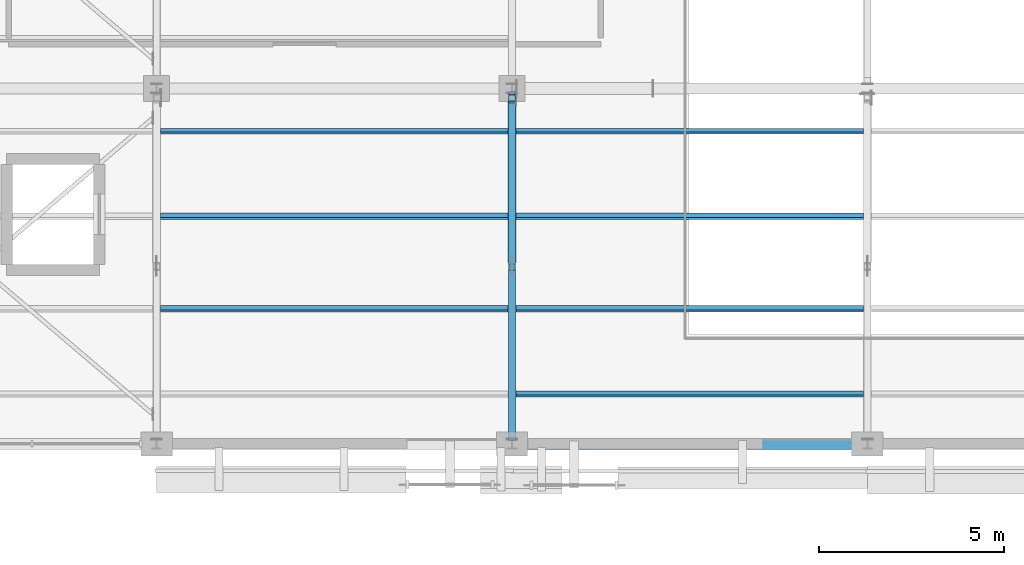
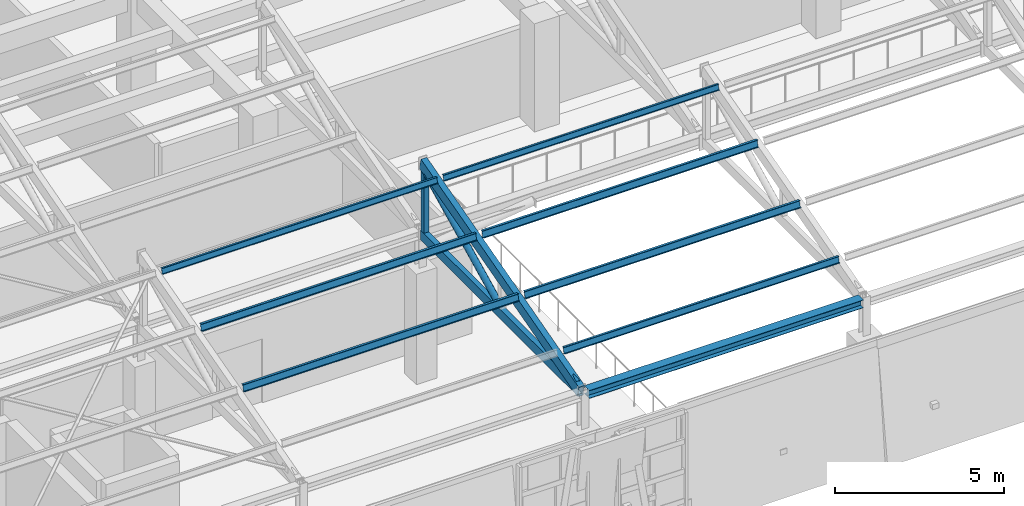
# One storey, part 14 of 58: 12 members, 1 beam.
"""IFC4 building model written with IfcOpenShell, lengths in metres."""

import ifcopenshell
import ifcopenshell.guid

model = None  # the IFC model being written
_history = None  # IfcOwnerHistory: only IFC2X3 demands one
_inside = {}  # id of a spatial element -> (the spatial element, [elements in it])
_under = {}  # id of a project, library or spatial element -> (it, [spatial elements below it])
_declared = {}  # id of a project -> (the project, [libraries it declares])
_typed = {}  # id of a type object -> (the type object, [elements of that type])
_made_of = {}  # id of a material, layer set ... -> (it, [elements and type objects made of it])


def new_model(schema):
    """Start an empty IFC model of exactly this schema.

    Asked for "IFC4X3", IfcOpenShell would pick the latest addendum, in which some entities
    have other attributes; the version numbers below select the first issue.
    IFC2X3 requires an IfcOwnerHistory on every rooted entity: one is made here for all.
    """
    global model, _history
    if schema == "IFC4X3":
        model = ifcopenshell.file(schema_version=(4, 3, 0, 0))
    else:
        model = ifcopenshell.file(schema=schema)
    _inside.clear()
    _under.clear()
    _declared.clear()
    _typed.clear()
    _made_of.clear()
    _history = None
    if model.schema == "IFC2X3":
        org = make("IfcOrganization", Name="unknown")
        user = make(
            "IfcPersonAndOrganization",
            ThePerson=make("IfcPerson", FamilyName="unknown"),
            TheOrganization=org,
        )
        app = make(
            "IfcApplication",
            ApplicationDeveloper=org,
            Version="unknown",
            ApplicationFullName="unknown",
            ApplicationIdentifier="unknown",
        )
        _history = make(
            "IfcOwnerHistory",
            OwningUser=user,
            OwningApplication=app,
            ChangeAction="ADDED",
            CreationDate=0,
        )
    return model


def make(cls, **values):
    """One entity of the class cls with the attributes given. An attribute that is None is left unset."""
    return model.create_entity(
        cls, **{name: value for name, value in values.items() if value is not None}
    )


def rooted(cls, **values):
    """An entity with a GlobalId (a new one), such as an element, a storey or a relation."""
    return make(cls, GlobalId=ifcopenshell.guid.new(), OwnerHistory=_history, **values)


def si_unit(unit_type, name, prefix=None):
    """IfcSIUnit, for example si_unit("LENGTHUNIT", "METRE", prefix="MILLI")."""
    return make("IfcSIUnit", UnitType=unit_type, Prefix=prefix, Name=name)


def assignment(units):
    """IfcUnitAssignment: the units of a project."""
    return None if units is None else make("IfcUnitAssignment", Units=units)


def point(xyz):
    """IfcCartesianPoint."""
    return None if xyz is None else make("IfcCartesianPoint", Coordinates=xyz)


def direction(xyz):
    """IfcDirection."""
    return None if xyz is None else make("IfcDirection", DirectionRatios=xyz)


def frame(location, z_axis=None, x_axis=None):
    """IfcAxis2Placement3D, a coordinate frame: its origin and axes. An axis left out is left unset."""
    return make(
        "IfcAxis2Placement3D",
        Location=point(location),
        Axis=direction(z_axis),
        RefDirection=direction(x_axis),
    )


def frame_2d(location, x_axis=None):
    """IfcAxis2Placement2D, a coordinate frame in the plane: its origin and x axis."""
    return make(
        "IfcAxis2Placement2D", Location=point(location), RefDirection=direction(x_axis)
    )


def origin():
    """The frame at (0, 0, 0) with its axes left unset."""
    return frame((0.0, 0.0, 0.0))


def origin_2d():
    """The frame at (0, 0) in the plane with its x axis left unset."""
    return frame_2d((0.0, 0.0))


def place(relative_to, where):
    """IfcLocalPlacement: puts the frame where relative to a parent placement (None: the world)."""
    return make(
        "IfcLocalPlacement", PlacementRelTo=relative_to, RelativePlacement=where
    )


def context(
    kind, dimensions, precision=None, world=None, true_north=None, identifier=None
):
    """IfcGeometricRepresentationContext, for example the 3D "Model" context."""
    return make(
        "IfcGeometricRepresentationContext",
        ContextIdentifier=identifier,
        ContextType=kind,
        CoordinateSpaceDimension=dimensions,
        Precision=precision,
        WorldCoordinateSystem=world,
        TrueNorth=true_north,
    )


def subcontext(parent, identifier, kind, view, scale=None):
    """IfcGeometricRepresentationSubContext, for example "Body" below "Model"."""
    return make(
        "IfcGeometricRepresentationSubContext",
        ContextIdentifier=identifier,
        ContextType=kind,
        ParentContext=parent,
        TargetScale=scale,
        TargetView=view,
    )


def project(units=None, contexts=None):
    """IfcProject with its units and contexts."""
    return rooted(
        "IfcProject",
        Name="project",
        RepresentationContexts=contexts,
        UnitsInContext=assignment(units),
    )


def spatial(cls, under=None, at=None, **own):
    """A site, building, storey or space (cls), placed at a placement, below another one or the project."""
    s = rooted(cls, ObjectPlacement=at, **own)
    if under is not None:
        _under.setdefault(under.id(), (under, []))[1].append(s)
    return s


def profile(cls, at=None, kind="AREA", **sizes):
    """A parametric profile (cls). Its sizes go by their IFC names, for example OverallWidth=200.0."""
    return make(cls, ProfileType=kind, Position=at, **sizes)


def hollow_rectangle(**sizes):
    """IfcRectangleHollowProfileDef."""
    return profile("IfcRectangleHollowProfileDef", **sizes)


def hollow_circle(**sizes):
    """IfcCircleHollowProfileDef."""
    return profile("IfcCircleHollowProfileDef", **sizes)


def i_section(**sizes):
    """IfcIShapeProfileDef."""
    return profile("IfcIShapeProfileDef", **sizes)


def extrude(swept, where, along, depth):
    """IfcExtrudedAreaSolid: the profile swept, set in the frame where, extruded along a direction by depth."""
    return make(
        "IfcExtrudedAreaSolid",
        SweptArea=swept,
        Position=where,
        ExtrudedDirection=direction(along),
        Depth=depth,
    )


def shape(context_of_items, identifier, shape_type, items):
    """IfcShapeRepresentation: the items that make up one representation, for example the "Body"."""
    return make(
        "IfcShapeRepresentation",
        ContextOfItems=context_of_items,
        RepresentationIdentifier=identifier,
        RepresentationType=shape_type,
        Items=items,
    )


def material(Name=None, Category=None):
    """IfcMaterial."""
    return make("IfcMaterial", Name=Name, Category=Category)


def material_profile(
    of_material, cross_section, Name=None, Category=None, Priority=None
):
    """IfcMaterialProfile: a cross section and its material."""
    return make(
        "IfcMaterialProfile",
        Name=Name,
        Material=of_material,
        Profile=cross_section,
        Priority=Priority,
        Category=Category,
    )


def profile_set(profiles, Name=None, composite=None):
    """IfcMaterialProfileSet."""
    return make(
        "IfcMaterialProfileSet",
        Name=Name,
        MaterialProfiles=profiles,
        CompositeProfile=composite,
    )


def made_of(thing, what):
    """Note that an element or type object is made of a material, layer set ...; save() writes the relation."""
    if what is not None:
        _made_of.setdefault(what.id(), (what, []))[1].append(thing)
    return thing


def type_object(cls, material=None, **own):
    """A type object (cls), such as IfcWallType, which elements share."""
    return made_of(rooted(cls, **own), material)


def element(
    cls,
    number,
    at=None,
    inside=None,
    cuts=None,
    type_object=None,
    material=None,
    context=None,
    identifier="Body",
    shape_type=None,
    held_by="IfcProductDefinitionShape",
    body=None,
    shapes=None,
    **own,
):
    """One element of the class cls, such as IfcWall. Its Tag is "e" and its number.

    at: its placement. inside: the storey or other place that contains it. cuts: it is an
    opening in that element (IfcRelVoidsElement). A single representation is given by context,
    identifier, shape_type and body (its items); several are given by shapes. held_by: the class
    of the entity that holds the representations. save() writes the other relations.
    """
    e = rooted(cls, Tag="e%d" % number, ObjectPlacement=at, **own)
    if body is not None:
        shapes = [shape(context, identifier, shape_type, body)]
    if shapes is not None:
        e.Representation = make(held_by, Representations=shapes)
    if inside is not None:
        _inside.setdefault(inside.id(), (inside, []))[1].append(e)
    if cuts is not None:
        rooted(
            "IfcRelVoidsElement", RelatingBuildingElement=cuts, RelatedOpeningElement=e
        )
    if type_object is not None:
        _typed.setdefault(type_object.id(), (type_object, []))[1].append(e)
    return made_of(e, material)


def aggregate(whole, parts):
    """IfcRelAggregates: a whole, such as a stair, and the parts it consists of."""
    return rooted("IfcRelAggregates", RelatingObject=whole, RelatedObjects=parts)


def save(model, path):
    """Write the relations noted so far, then the file.

    IfcRelAggregates (storeys below a building ...), IfcRelContainedInSpatialStructure (elements
    in a storey), IfcRelDefinesByType, IfcRelAssociatesMaterial and IfcRelDeclares: one each for
    every whole, place, type object, material and project.
    """
    for whole, parts in _under.values():
        aggregate(whole, parts)
    for where, things in _inside.values():
        rooted(
            "IfcRelContainedInSpatialStructure",
            RelatedElements=things,
            RelatingStructure=where,
        )
    for kind, things in _typed.values():
        rooted("IfcRelDefinesByType", RelatedObjects=things, RelatingType=kind)
    for what, things in _made_of.values():
        rooted("IfcRelAssociatesMaterial", RelatedObjects=things, RelatingMaterial=what)
    for by, libraries in _declared.values():
        rooted("IfcRelDeclares", RelatingContext=by, RelatedDefinitions=libraries)
    model.write(path)


model = new_model("IFC4")

# Units and contexts
model_context = context("Model", 3, precision=1e-05, world=origin(), true_north=direction((0.0, 1.0)))
body_context = subcontext(model_context, "Body", "Model", "MODEL_VIEW")
ifc_project = project(units=[si_unit("LENGTHUNIT", "METRE"), si_unit("AREAUNIT", "SQUARE_METRE"), si_unit("VOLUMEUNIT", "CUBIC_METRE"), si_unit("PLANEANGLEUNIT", "RADIAN"), si_unit("MASSUNIT", "GRAM", prefix="KILO")], contexts=[model_context])

# Site, building, storey
site_placement = place(None, origin())
site = spatial("IfcSite", under=ifc_project, at=site_placement, CompositionType="ELEMENT")
building_placement = place(site_placement, origin())
building = spatial("IfcBuilding", under=site, at=building_placement, Name="Bempovik Park Faculty of Sciences", CompositionType="ELEMENT")
storey_placement = place(building_placement, frame((0.0, 0.0, 18.300048828125)))
storey = spatial("IfcBuildingStorey", under=building, at=storey_placement, Name="L04", CompositionType="ELEMENT", Elevation=18.300048828125)

# Beam
ifc_material = material(Name="Steel S355", Category="steel")
ifc_material_profile_1 = material_profile(ifc_material, i_section(OverallWidth=0.300048828125, OverallDepth=0.2900390625, WebThickness=0.008544921875, FlangeThickness=0.013916015625, at=origin_2d()), Name="HEA 300")
ifc_profile_set_1 = profile_set([ifc_material_profile_1], Name="Steel S355")
beam_type = type_object("IfcBeamType", Name="B-131 HEA 300", PredefinedType="BEAM", material=ifc_profile_set_1)
beam_placement = place(storey_placement, frame((69.72998046875, 67.800048828125, 5.179931640625), z_axis=(1.0, 0.0, 0.0), x_axis=(0.0, 1.0, 0.0)))
element("IfcBeam", 1, at=beam_placement, inside=storey, type_object=beam_type, Name="Sawtooth Valley Tie Beam V2-B1 (69.6-79.2)", PredefinedType="BEAM", context=body_context, shape_type="SweptSolid", body=[
    extrude(i_section(OverallWidth=0.300048828125, OverallDepth=0.2900390625, WebThickness=0.008544921875, FlangeThickness=0.013916015625, at=origin_2d()), origin(), (0.0, 0.0, 1.0), 9.340087890625),
])

# Members
ifc_material_profile_2 = material_profile(ifc_material, hollow_rectangle(XDim=0.175048828125, YDim=0.35009765625, WallThickness=0.012451171875, at=origin_2d()), Name="RHS 350x175x12.5")
ifc_profile_set_2 = profile_set([ifc_material_profile_2], Name="Steel S355")
member_type_1 = type_object("IfcMemberType", Name="M-15 RHS 350x175x12.5", PredefinedType="CHORD", material=ifc_profile_set_2)
member_1_placement = place(storey_placement, frame((69.60009765625, 67.93603515625, 5.179931640625), z_axis=(0.0, 1.0, 0.0), x_axis=(-1.0, 0.0, 0.0)))
element("IfcMember", 2, at=member_1_placement, inside=storey, type_object=member_type_1, Name="Sawtooth Bottom Chord V2-B1 (69.6)", PredefinedType="CHORD", context=body_context, shape_type="SweptSolid", body=[
    extrude(hollow_rectangle(XDim=0.175048828125, YDim=0.35009765625, WallThickness=0.012451171875, at=origin_2d()), origin(), (0.0, 0.0, 1.0), 9.327880859375),
])
ifc_material_profile_3 = material_profile(ifc_material, i_section(OverallWidth=0.110107421875, OverallDepth=0.219970703125, WebThickness=0.005859375, FlangeThickness=0.00927734375, at=origin_2d()), Name="IPE 220")
ifc_profile_set_3 = profile_set([ifc_material_profile_3], Name="Steel S355")
member_type_2 = type_object("IfcMemberType", Name="M-18 IPE 220", PredefinedType="PURLIN", material=ifc_profile_set_3)
member_2_placement = place(storey_placement, frame((69.7060546875, 69.14404296875, 5.87744140625), z_axis=(1.0, 0.0, 0.0), x_axis=(0.0, 0.965925826289, -0.258819045103)))
element("IfcMember", 3, at=member_2_placement, inside=storey, type_object=member_type_2, Name="Sawtooth Roof Purlin V2-B1 (69.6-79.2) #1", PredefinedType="PURLIN", context=body_context, shape_type="SweptSolid", body=[
    extrude(i_section(OverallWidth=0.110107421875, OverallDepth=0.219970703125, WebThickness=0.005859375, FlangeThickness=0.00927734375, at=origin_2d()), origin(), (0.0, 0.0, 1.0), 9.387939453125),
])
ifc_material_profile_4 = material_profile(ifc_material, hollow_circle(Radius=0.109619140625, WallThickness=0.010009765625, at=origin_2d()), Name="CHS 219.1x10")
ifc_profile_set_4 = profile_set([ifc_material_profile_4], Name="Steel S355")
member_type_3 = type_object("IfcMemberType", Name="M-22 CHS 219.1x10", PredefinedType="BRACE", material=ifc_profile_set_4)
member_3_placement = place(storey_placement, frame((69.60009765625, 72.705078125, 5.36083984375), z_axis=(0.0, 0.896782958268, 0.442470706105), x_axis=(-1.0, 0.0, 0.0)))
element("IfcMember", 4, at=member_3_placement, inside=storey, type_object=member_type_3, Name="Sawtooth Web Diagonal 2 V2-B1 (69.6)", PredefinedType="BRACE", context=body_context, shape_type="SweptSolid", body=[
    extrude(hollow_circle(Radius=0.109619140625, WallThickness=0.010009765625, at=origin_2d()), origin(), (0.0, 0.0, 1.0), 4.844970703125),
])
ifc_material_profile_5 = material_profile(ifc_material, hollow_rectangle(XDim=0.179931640625, YDim=0.179931640625, WallThickness=0.008056640625, at=origin_2d()), Name="SHS 180x180x8")
ifc_profile_set_5 = profile_set([ifc_material_profile_5], Name="Steel S355")
member_type_4 = type_object("IfcMemberType", Name="M-40 SHS 180x180x8", PredefinedType="POST", material=ifc_profile_set_5)
member_4_placement = place(storey_placement, frame((69.60009765625, 77.14990234375, 5.36083984375), z_axis=(0.0, 0.0, 1.0), x_axis=(1.0, 0.0, 0.0)))
element("IfcMember", 5, at=member_4_placement, inside=storey, type_object=member_type_4, Name="Sawtooth North-Light Post V2-B1 (69.6)", PredefinedType="POST", context=body_context, shape_type="SweptSolid", body=[
    extrude(hollow_rectangle(XDim=0.179931640625, YDim=0.179931640625, WallThickness=0.008056640625, at=origin_2d()), origin(), (0.0, 0.0, 1.0), 2.143798828125),
])
ifc_material_profile_6 = material_profile(ifc_material, i_section(OverallWidth=0.10009765625, OverallDepth=0.199951171875, WebThickness=0.005615234375, FlangeThickness=0.008544921875, at=origin_2d()), Name="IPE 200")
ifc_profile_set_6 = profile_set([ifc_material_profile_6], Name="Steel S355")
member_type_5 = type_object("IfcMemberType", Name="M-48 IPE 200", PredefinedType="PURLIN", material=ifc_profile_set_6)
for number, where, z_axis, x_axis, name in (
    (6, (60.10595703125, 76.248046875, 7.790771484375), (1.0, 0.0, 0.0), (0.0, 0.965925826289, -0.258819045103), "Sawtooth Roof Purlin V2-B1 (60.0-69.6) #4"),
    (7, (69.7060546875, 76.248046875, 7.790771484375), (1.0, 0.0, 0.0), (0.0, 0.965925826289, -0.258819045103), "Sawtooth Roof Purlin V2-B1 (69.6-79.2) #4"),
):
    element("IfcMember", number, at=place(storey_placement, frame(where, z_axis=z_axis, x_axis=x_axis)), inside=storey, type_object=member_type_5, Name=name, PredefinedType="PURLIN", context=body_context, shape_type="SweptSolid", body=[
        extrude(i_section(OverallWidth=0.10009765625, OverallDepth=0.199951171875, WebThickness=0.005615234375, FlangeThickness=0.008544921875, at=origin_2d()), origin(), (0.0, 0.0, 1.0), 9.387939453125),
    ])
ifc_material_profile_7 = material_profile(ifc_material, hollow_rectangle(XDim=0.199951171875, YDim=0.39990234375, WallThickness=0.01611328125, at=origin_2d()), Name="RHS 400x200x16")
ifc_profile_set_7 = profile_set([ifc_material_profile_7], Name="Steel S355")
member_type_6 = type_object("IfcMemberType", Name="M-53 RHS 400x200x16", PredefinedType="CHORD", material=ifc_profile_set_7)
member_5_placement = place(storey_placement, frame((69.60009765625, 67.93603515625, 5.182373046875), z_axis=(0.0, 0.964017594472, 0.265838442572), x_axis=(-1.0, 0.0, 0.0)))
element("IfcMember", 8, at=member_5_placement, inside=storey, type_object=member_type_6, Name="Sawtooth Top Rafter Chord V2-B1 (69.6)", PredefinedType="CHORD", context=body_context, shape_type="SweptSolid", body=[
    extrude(hollow_rectangle(XDim=0.199951171875, YDim=0.39990234375, WallThickness=0.01611328125, at=origin_2d()), origin(), (0.0, 0.0, 1.0), 9.676025390625),
])
ifc_material_profile_8 = material_profile(ifc_material, hollow_circle(Radius=0.096923828125, WallThickness=0.008056640625, at=origin_2d()), Name="CHS 193.7x8")
ifc_profile_set_8 = profile_set([ifc_material_profile_8], Name="Steel S355")
member_type_7 = type_object("IfcMemberType", Name="M-74 CHS 193.7x8", PredefinedType="BRACE", material=ifc_profile_set_8)
member_6_placement = place(storey_placement, frame((69.60009765625, 68.110107421875, 5.36083984375), z_axis=(0.0, 0.980118341504, 0.198413801554), x_axis=(-1.0, 0.0, 0.0)))
element("IfcMember", 9, at=member_6_placement, inside=storey, type_object=member_type_7, Name="Sawtooth Web Diagonal 1 V2-B1 (69.6)", PredefinedType="BRACE", context=body_context, shape_type="SweptSolid", body=[
    extrude(hollow_circle(Radius=0.096923828125, WallThickness=0.008056640625, at=origin_2d()), origin(), (0.0, 0.0, 1.0), 4.473876953125),
])
ifc_material_profile_9 = material_profile(ifc_material, i_section(OverallWidth=0.1201171875, OverallDepth=0.239990234375, WebThickness=0.006103515625, FlangeThickness=0.009765625, at=origin_2d()), Name="IPE 240")
ifc_profile_set_9 = profile_set([ifc_material_profile_9], Name="Steel S355")
member_type_8 = type_object("IfcMemberType", Name="M-86 IPE 240", PredefinedType="PURLIN", material=ifc_profile_set_9)
for number, where, z_axis, x_axis, name in (
    (10, (60.10595703125, 71.447998046875, 6.48486328125), (1.0, 0.0, 0.0), (0.0, 0.965925826289, -0.258819045103), "Sawtooth Roof Purlin V2-B1 (60.0-69.6) #2"),
    (11, (60.10595703125, 73.944091796875, 7.153564453125), (1.0, 0.0, 0.0), (0.0, 0.965925826289, -0.258819045103), "Sawtooth Roof Purlin V2-B1 (60.0-69.6) #3"),
    (12, (69.7060546875, 71.447998046875, 6.48486328125), (1.0, 0.0, 0.0), (0.0, 0.965925826289, -0.258819045103), "Sawtooth Roof Purlin V2-B1 (69.6-79.2) #2"),
    (13, (69.7060546875, 73.944091796875, 7.153564453125), (1.0, 0.0, 0.0), (0.0, 0.965925826289, -0.258819045103), "Sawtooth Roof Purlin V2-B1 (69.6-79.2) #3"),
):
    element("IfcMember", number, at=place(storey_placement, frame(where, z_axis=z_axis, x_axis=x_axis)), inside=storey, type_object=member_type_8, Name=name, PredefinedType="PURLIN", context=body_context, shape_type="SweptSolid", body=[
        extrude(i_section(OverallWidth=0.1201171875, OverallDepth=0.239990234375, WebThickness=0.006103515625, FlangeThickness=0.009765625, at=origin_2d()), origin(), (0.0, 0.0, 1.0), 9.387939453125),
    ])

save(model, "model.ifc")
